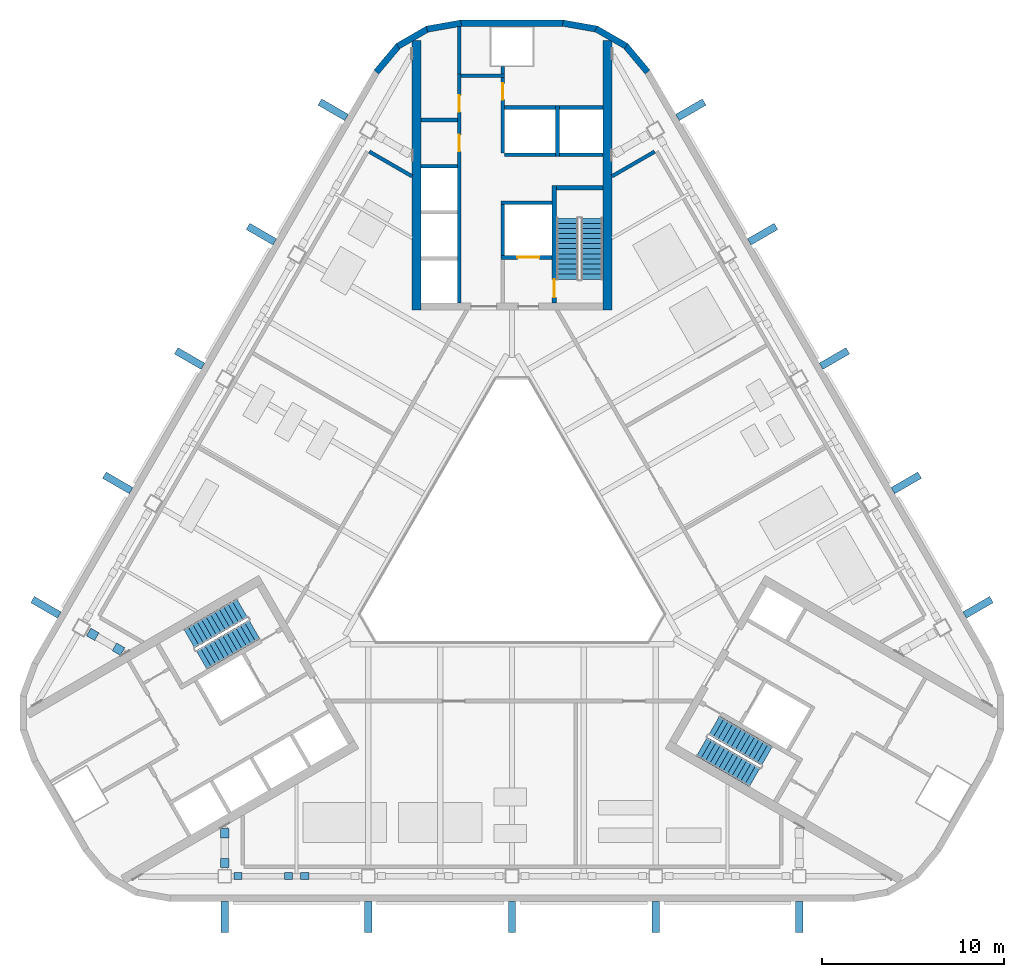
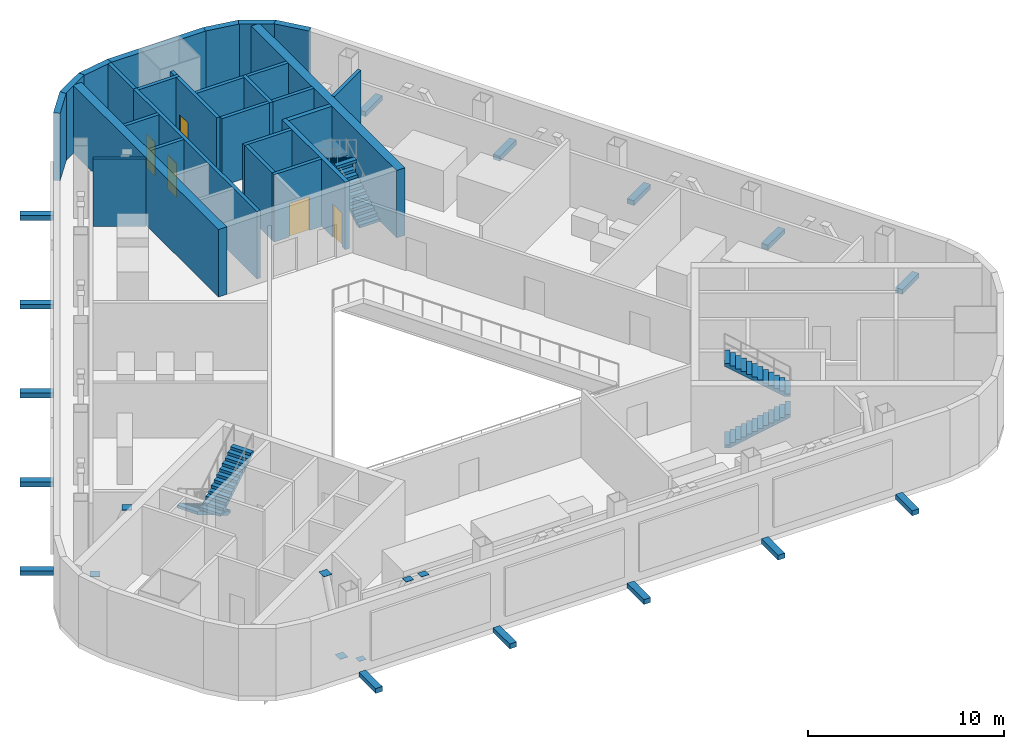
# One storey, part 9 of 15: 28 walls, 22 discrete accessories, 6 stair flights, 5 doors, 5 openings, 3 elements without a shape of their own.
"""IFC4 building model written with IfcOpenShell, lengths in metres."""

from ifc_helpers import new_model, si_unit, direction, frame, frame_2d, origin, origin_2d, place, context, subcontext, project, spatial, polyline, rectangle, outline, extrude, material, layer, layer_set, type_object, element, fill, aggregate, save


model = new_model("IFC4")

# Units and contexts
model_context = context("Model", 3, precision=1e-05, world=origin(), true_north=direction((0.0, 1.0)))
body_context = subcontext(model_context, "Body", "Model", "MODEL_VIEW")
ifc_project = project(units=[si_unit("LENGTHUNIT", "METRE"), si_unit("AREAUNIT", "SQUARE_METRE"), si_unit("VOLUMEUNIT", "CUBIC_METRE"), si_unit("PLANEANGLEUNIT", "RADIAN"), si_unit("MASSUNIT", "GRAM", prefix="KILO")], contexts=[model_context])

# Site, building, storey
site_placement = place(None, origin())
site = spatial("IfcSite", under=ifc_project, at=site_placement, CompositionType="ELEMENT")
building_placement = place(site_placement, origin())
building = spatial("IfcBuilding", under=site, at=building_placement, Name="Apuvela Tower Hotel", CompositionType="ELEMENT")
storey_placement = place(building_placement, frame((0.0, 0.0, 237.699951171875)))
storey = spatial("IfcBuildingStorey", under=building, at=storey_placement, Name="L58 Plant", CompositionType="ELEMENT", Elevation=237.699951171875)

# Walls
ifc_material_1 = material(Name="Concrete C50/60", Category="concrete")
ifc_layer_1 = layer(ifc_material_1, 0.5)
ifc_layer_set_1 = layer_set([ifc_layer_1], Name="COR-WALL-CORE-500")
wall_type_1 = type_object("IfcWallType", Name="COR-WALL-CORE-500", PredefinedType="SHEAR", material=ifc_layer_set_1)
for number, where, z_axis, x_axis, name in (
    (1, (5.25, 12.89990234375, 0.0), (0.0, 0.0, 1.0), (0.0, 1.0, 0.0), "Core wall N"),
    (2, (-5.25, 12.89990234375, 0.0), (0.0, 0.0, 1.0), (0.0, 1.0, 0.0), "Core wall N"),
):
    element("IfcWall", number, at=place(storey_placement, frame(where, z_axis=z_axis, x_axis=x_axis)), inside=storey, type_object=wall_type_1, Name=name, PredefinedType="SHEAR", context=body_context, shape_type="SweptSolid", body=[
        extrude(rectangle(XDim=14.8369140625, YDim=0.5, at=frame_2d((7.41845703125, 0.0))), origin(), (0.0, 0.0, 1.0), 4.199951171875),
    ])
ifc_material_2 = material(Name="Blockwork 200 mm plastered", Category="masonry")
ifc_layer_2 = layer(ifc_material_2, 0.199951171875)
ifc_layer_set_2 = layer_set([ifc_layer_2], Name="COR-WALL-PART-200")
wall_type_2 = type_object("IfcWallType", Name="COR-WALL-PART-200", PredefinedType="PARTITIONING", material=ifc_layer_set_2)
wall_1_placement = place(storey_placement, frame((5.0, 21.449951171875, 0.0), z_axis=(0.0, 0.0, 1.0), x_axis=(-1.0, 0.0, 0.0)))
element("IfcWall", 3, at=wall_1_placement, inside=storey, type_object=wall_type_2, Name="Partition N", PredefinedType="PARTITIONING", context=body_context, shape_type="SweptSolid", body=[
    extrude(rectangle(XDim=2.39990234375, YDim=0.199951171875, at=frame_2d((1.199951171875, 0.0))), origin(), (0.0, 0.0, 1.0), 4.199951171875),
])
wall_2_placement = place(storey_placement, frame((2.39990234375, 21.449951171875, 0.0), z_axis=(0.0, 0.0, 1.0), x_axis=(-1.0, 0.0, 0.0)))
element("IfcWall", 4, at=wall_2_placement, inside=storey, type_object=wall_type_2, Name="Partition N", PredefinedType="PARTITIONING", context=body_context, shape_type="SweptSolid", body=[
    extrude(rectangle(XDim=2.7998046875, YDim=0.199951171875, at=frame_2d((1.39990234375, 0.0))), origin(), (0.0, 0.0, 1.0), 4.199951171875),
])
ifc_layer_3 = layer(ifc_material_1, 0.199951171875)
ifc_layer_set_3 = layer_set([ifc_layer_3], Name="COR-WALL-SHAFT-200")
wall_type_3 = type_object("IfcWallType", Name="COR-WALL-SHAFT-200", PredefinedType="SHEAR", material=ifc_layer_set_3)
wall_3_placement = place(storey_placement, frame((2.199951171875, 18.800048828125, 0.0), z_axis=(0.0, 0.0, 1.0), x_axis=(-1.0, 0.0, 0.0)))
element("IfcWall", 5, at=wall_3_placement, inside=storey, type_object=wall_type_3, Name="Shaft wall N", PredefinedType="SHEAR", context=body_context, shape_type="SweptSolid", body=[
    extrude(rectangle(XDim=2.800048828125, YDim=0.199951171875, at=frame_2d((1.39990234375, 0.0))), origin(), (0.0, 0.0, 1.0), 4.199951171875),
])

# Wall, opening, door
wall_4_placement = place(storey_placement, frame((2.199951171875, 15.800048828125, 0.0), z_axis=(0.0, 0.0, 1.0), x_axis=(-1.0, 0.0, 0.0)))
wall_4 = element("IfcWall", 6, at=wall_4_placement, inside=storey, type_object=wall_type_3, Name="Shaft wall N", PredefinedType="SHEAR", context=body_context, shape_type="SweptSolid", body=[
    extrude(rectangle(XDim=2.800048828125, YDim=0.199951171875, at=frame_2d((1.39990234375, 0.0))), origin(), (0.0, 0.0, 1.0), 4.199951171875),
])
opening_1_placement = place(wall_4_placement, frame((0.699951171875, 0.0, 0.0)))
opening_1 = element("IfcOpeningElement", 7, at=opening_1_placement, cuts=wall_4, Name="Opening N-LD-FS1", PredefinedType="OPENING", context=body_context, shape_type="SweptSolid", body=[
    extrude(rectangle(XDim=1.199951171875, YDim=2.10009765625, at=frame_2d((0.60009765625, 1.050048828125))), frame((0.0, 0.10986328125, 0.0), z_axis=(0.0, -1.0, 0.0), x_axis=(1.0, 0.0, 0.0)), (0.0, 0.0, 1.0), 0.219970703125),
])
ifc_material_3 = material(Name="Stainless steel lift landing door", Category="steel")
door_type_1 = type_object("IfcDoorType", Name="COR-LD-1200", OperationType="DOUBLE_DOOR_SLIDING", PredefinedType="DOOR", material=ifc_material_3)
door_1_placement = place(opening_1_placement, origin())
door_1 = element("IfcDoor", 8, at=door_1_placement, inside=storey, type_object=door_type_1, Name="Lift landing door N-LD-FS1", OperationType="DOUBLE_DOOR_SLIDING", OverallHeight=2.10009765625, OverallWidth=1.199951171875, PredefinedType="DOOR", context=body_context, shape_type="SweptSolid", body=[
    extrude(rectangle(XDim=1.199951171875, YDim=2.10009765625, at=frame_2d((0.60009765625, 1.050048828125))), frame((0.0, 0.02490234375, 0.0), z_axis=(0.0, -1.0, 0.0), x_axis=(1.0, 0.0, 0.0)), (0.0, 0.0, 1.0), 0.050048828125),
])
fill(opening_1, door_1)

# Wall
wall_5_placement = place(storey_placement, frame((-0.5, 15.89990234375, 0.0), z_axis=(0.0, 0.0, 1.0), x_axis=(0.0, 1.0, 0.0)))
element("IfcWall", 9, at=wall_5_placement, inside=storey, type_object=wall_type_3, Name="Shaft wall N", PredefinedType="SHEAR", context=body_context, shape_type="SweptSolid", body=[
    extrude(rectangle(XDim=2.800048828125, YDim=0.199951171875, at=frame_2d((1.39990234375, 0.0))), origin(), (0.0, 0.0, 1.0), 4.199951171875),
])

# Wall, openings, doors
wall_6_placement = place(storey_placement, frame((-2.89990234375, 13.300048828125, 0.0), z_axis=(0.0, 0.0, 1.0), x_axis=(0.0, 1.0, 0.0)))
wall_6 = element("IfcWall", 10, at=wall_6_placement, inside=storey, type_object=wall_type_3, Name="Shaft wall N", PredefinedType="SHEAR", context=body_context, shape_type="SweptSolid", body=[
    extrude(rectangle(XDim=12.599853515625, YDim=0.199951171875, at=frame_2d((6.2998046875, 0.0))), origin(), (0.0, 0.0, 1.0), 4.199951171875),
])
opening_2_placement = place(wall_6_placement, frame((8.340087890625, 0.0, 0.0)))
opening_2 = element("IfcOpeningElement", 11, at=opening_2_placement, cuts=wall_6, Name="Opening N-RE4", PredefinedType="OPENING", context=body_context, shape_type="SweptSolid", body=[
    extrude(rectangle(XDim=0.89990234375, YDim=2.10009765625, at=frame_2d((0.449951171875, 1.050048828125))), frame((0.0, 0.10986328125, 0.0), z_axis=(0.0, -1.0, 0.0), x_axis=(1.0, 0.0, 0.0)), (0.0, 0.0, 1.0), 0.219970703125),
])
opening_3_placement = place(wall_6_placement, frame((10.510009765625, 0.0, 0.0)))
opening_3 = element("IfcOpeningElement", 12, at=opening_3_placement, cuts=wall_6, Name="Opening N-REP", PredefinedType="OPENING", context=body_context, shape_type="SweptSolid", body=[
    extrude(rectangle(XDim=0.89990234375, YDim=2.10009765625, at=frame_2d((0.449951171875, 1.050048828125))), frame((0.0, 0.10986328125, 0.0), z_axis=(0.0, -1.0, 0.0), x_axis=(1.0, 0.0, 0.0)), (0.0, 0.0, 1.0), 0.219970703125),
])
ifc_material_4 = material(Name="Steel fire door, powder coated", Category="steel")
door_type_2 = type_object("IfcDoorType", Name="COR-DR-900", OperationType="NOTDEFINED", PredefinedType="DOOR", material=ifc_material_4)
door_2_placement = place(opening_2_placement, origin())
door_2 = element("IfcDoor", 13, at=door_2_placement, inside=storey, type_object=door_type_2, Name="Store door N-RE4", OperationType="SINGLE_SWING_LEFT", OverallHeight=2.10009765625, OverallWidth=0.89990234375, PredefinedType="DOOR", context=body_context, shape_type="SweptSolid", body=[
    extrude(rectangle(XDim=0.89990234375, YDim=2.10009765625, at=frame_2d((0.449951171875, 1.050048828125))), frame((0.0, 0.02490234375, 0.0), z_axis=(0.0, -1.0, 0.0), x_axis=(1.0, 0.0, 0.0)), (0.0, 0.0, 1.0), 0.050048828125),
])
fill(opening_2, door_2)
door_3_placement = place(opening_3_placement, origin())
door_3 = element("IfcDoor", 14, at=door_3_placement, inside=storey, type_object=door_type_2, Name="Store door N-REP", OperationType="SINGLE_SWING_RIGHT", OverallHeight=2.10009765625, OverallWidth=0.89990234375, PredefinedType="DOOR", context=body_context, shape_type="SweptSolid", body=[
    extrude(rectangle(XDim=0.89990234375, YDim=2.10009765625, at=frame_2d((0.449951171875, 1.050048828125))), frame((0.0, 0.02490234375, 0.0), z_axis=(0.0, -1.0, 0.0), x_axis=(1.0, 0.0, 0.0)), (0.0, 0.0, 1.0), 0.050048828125),
])
fill(opening_3, door_3)

# Wall
wall_7_placement = place(storey_placement, frame((-0.39990234375, 25.800048828125, 0.0), z_axis=(0.0, 0.0, 1.0), x_axis=(-1.0, 0.0, 0.0)))
element("IfcWall", 15, at=wall_7_placement, inside=storey, type_object=wall_type_3, Name="Shaft wall N", PredefinedType="SHEAR", context=body_context, shape_type="SweptSolid", body=[
    extrude(rectangle(XDim=2.400146484375, YDim=0.199951171875, at=frame_2d((1.2001953125, 0.0))), origin(), (0.0, 0.0, 1.0), 4.199951171875),
])

# Wall, opening, door
wall_8_placement = place(storey_placement, frame((-0.5, 21.550048828125, 0.0), z_axis=(0.0, 0.0, 1.0), x_axis=(0.0, 1.0, 0.0)))
wall_8 = element("IfcWall", 16, at=wall_8_placement, inside=storey, type_object=wall_type_3, Name="Shaft wall N", PredefinedType="SHEAR", context=body_context, shape_type="SweptSolid", body=[
    extrude(rectangle(XDim=4.14990234375, YDim=0.199951171875, at=frame_2d((2.074951171875, 0.0))), origin(), (0.0, 0.0, 1.0), 4.199951171875),
])
opening_4_placement = place(wall_8_placement, frame((2.925048828125, 0.0, 0.0)))
opening_4 = element("IfcOpeningElement", 17, at=opening_4_placement, cuts=wall_8, Name="Opening N-RSP", PredefinedType="OPENING", context=body_context, shape_type="SweptSolid", body=[
    extrude(rectangle(XDim=0.89990234375, YDim=2.10009765625, at=frame_2d((0.449951171875, 1.050048828125))), frame((0.0, 0.10986328125, 0.0), z_axis=(0.0, -1.0, 0.0), x_axis=(1.0, 0.0, 0.0)), (0.0, 0.0, 1.0), 0.219970703125),
])
door_4_placement = place(opening_4_placement, frame((0.89990234375, 0.0, 0.0), z_axis=(0.0, 0.0, 1.0), x_axis=(-1.0, 0.0, 0.0)))
door_4 = element("IfcDoor", 18, at=door_4_placement, inside=storey, type_object=door_type_2, Name="Store door N-RSP", OperationType="SINGLE_SWING_LEFT", OverallHeight=2.10009765625, OverallWidth=0.89990234375, PredefinedType="DOOR", context=body_context, shape_type="SweptSolid", body=[
    extrude(rectangle(XDim=0.89990234375, YDim=2.10009765625, at=frame_2d((0.449951171875, 1.050048828125))), frame((0.0, 0.02490234375, 0.0), z_axis=(0.0, -1.0, 0.0), x_axis=(1.0, 0.0, 0.0)), (0.0, 0.0, 1.0), 0.050048828125),
])
fill(opening_4, door_4)

# Walls
for number, where, z_axis, x_axis, name in (
    (19, (-3.0, 20.820068359375, 0.0), (0.0, 0.0, 1.0), (-1.0, 0.0, 0.0), "Shaft wall N"),
    (20, (-3.0, 23.360107421875, 0.0), (0.0, 0.0, 1.0), (-1.0, 0.0, 0.0), "Shaft wall N"),
):
    element("IfcWall", number, at=place(storey_placement, frame(where, z_axis=z_axis, x_axis=x_axis)), inside=storey, type_object=wall_type_3, Name=name, PredefinedType="SHEAR", context=body_context, shape_type="SweptSolid", body=[
        extrude(rectangle(XDim=2.0, YDim=0.199951171875, at=frame_2d((1.0, 0.0))), origin(), (0.0, 0.0, 1.0), 4.199951171875),
    ])
wall_9_placement = place(storey_placement, frame((-0.5, 25.89990234375, 0.0), z_axis=(0.0, 0.0, 1.0), x_axis=(0.0, 1.0, 0.0)))
element("IfcWall", 21, at=wall_9_placement, inside=storey, type_object=wall_type_3, Name="Shaft wall N", PredefinedType="SHEAR", context=body_context, shape_type="SweptSolid", body=[
    extrude(rectangle(XDim=0.400146484375, YDim=0.199951171875, at=frame_2d((0.2001953125, 0.0))), origin(), (0.0, 0.0, 1.0), 4.199951171875),
])
wall_10_placement = place(storey_placement, frame((-2.89990234375, 25.89990234375, 0.0), z_axis=(0.0, 0.0, 1.0), x_axis=(0.0, 1.0, 0.0)))
element("IfcWall", 22, at=wall_10_placement, inside=storey, type_object=wall_type_3, Name="Shaft wall N", PredefinedType="SHEAR", context=body_context, shape_type="SweptSolid", body=[
    extrude(rectangle(XDim=2.60009765625, YDim=0.199951171875, at=frame_2d((1.300048828125, 0.0))), origin(), (0.0, 0.0, 1.0), 4.199951171875),
])
wall_11_placement = place(storey_placement, frame((2.5, 21.35009765625, 0.0), z_axis=(0.0, 0.0, 1.0), x_axis=(0.0, 1.0, 0.0)))
element("IfcWall", 23, at=wall_11_placement, inside=storey, type_object=wall_type_3, Name="Shaft wall N", PredefinedType="SHEAR", context=body_context, shape_type="SweptSolid", body=[
    extrude(rectangle(XDim=2.7998046875, YDim=0.199951171875, at=frame_2d((1.39990234375, 0.0))), origin(), (0.0, 0.0, 1.0), 4.199951171875),
])
wall_12_placement = place(storey_placement, frame((5.0, 24.050048828125, 0.0), z_axis=(0.0, 0.0, 1.0), x_axis=(-1.0, 0.0, 0.0)))
element("IfcWall", 24, at=wall_12_placement, inside=storey, type_object=wall_type_3, Name="Shaft wall N", PredefinedType="SHEAR", context=body_context, shape_type="SweptSolid", body=[
    extrude(rectangle(XDim=2.39990234375, YDim=0.199951171875, at=frame_2d((1.199951171875, 0.0))), origin(), (0.0, 0.0, 1.0), 4.199951171875),
])
wall_13_placement = place(storey_placement, frame((2.39990234375, 24.050048828125, 0.0), z_axis=(0.0, 0.0, 1.0), x_axis=(-1.0, 0.0, 0.0)))
element("IfcWall", 25, at=wall_13_placement, inside=storey, type_object=wall_type_3, Name="Shaft wall N", PredefinedType="SHEAR", context=body_context, shape_type="SweptSolid", body=[
    extrude(rectangle(XDim=2.7998046875, YDim=0.199951171875, at=frame_2d((1.39990234375, 0.0))), origin(), (0.0, 0.0, 1.0), 4.199951171875),
])

# Wall, opening, door
ifc_layer_4 = layer(ifc_material_1, 0.25)
ifc_layer_set_4 = layer_set([ifc_layer_4], Name="COR-WALL-STAIR-250")
wall_type_4 = type_object("IfcWallType", Name="COR-WALL-STAIR-250", PredefinedType="SHEAR", material=ifc_layer_set_4)
wall_14_placement = place(storey_placement, frame((2.324951171875, 13.300048828125, 0.0), z_axis=(0.0, 0.0, 1.0), x_axis=(0.0, 1.0, 0.0)))
wall_14 = element("IfcWall", 26, at=wall_14_placement, inside=storey, type_object=wall_type_4, Name="Stair wall N", PredefinedType="SHEAR", context=body_context, shape_type="SweptSolid", body=[
    extrude(rectangle(XDim=6.449951171875, YDim=0.25, at=frame_2d((3.22509765625, 0.0))), origin(), (0.0, 0.0, 1.0), 4.199951171875),
])
opening_5_placement = place(wall_14_placement, frame((0.300048828125, 0.0, 0.0)))
opening_5 = element("IfcOpeningElement", 27, at=opening_5_placement, cuts=wall_14, Name="Opening N-SD", PredefinedType="OPENING", context=body_context, shape_type="SweptSolid", body=[
    extrude(rectangle(XDim=1.0, YDim=2.10009765625, at=frame_2d((0.5, 1.050048828125))), frame((0.0, 0.135009765625, 0.0), z_axis=(0.0, -1.0, 0.0), x_axis=(1.0, 0.0, 0.0)), (0.0, 0.0, 1.0), 0.27001953125),
])
door_type_3 = type_object("IfcDoorType", Name="COR-SD-1000", OperationType="NOTDEFINED", PredefinedType="DOOR", material=ifc_material_4)
door_5_placement = place(opening_5_placement, frame((1.0, 0.0, 0.0), z_axis=(0.0, 0.0, 1.0), x_axis=(-1.0, 0.0, 0.0)))
door_5 = element("IfcDoor", 28, at=door_5_placement, inside=storey, type_object=door_type_3, Name="Stair door N-SD", OperationType="SINGLE_SWING_LEFT", OverallHeight=2.10009765625, OverallWidth=1.0, PredefinedType="DOOR", context=body_context, shape_type="SweptSolid", body=[
    extrude(rectangle(XDim=1.0, YDim=2.10009765625, at=frame_2d((0.5, 1.050048828125))), frame((0.0, 0.02490234375, 0.0), z_axis=(0.0, -1.0, 0.0), x_axis=(1.0, 0.0, 0.0)), (0.0, 0.0, 1.0), 0.050048828125),
])
fill(opening_5, door_5)

# Walls
wall_15_placement = place(storey_placement, frame((5.0, 19.625, 0.0), z_axis=(0.0, 0.0, 1.0), x_axis=(-1.0, 0.0, 0.0)))
element("IfcWall", 29, at=wall_15_placement, inside=storey, type_object=wall_type_4, Name="Stair wall N", PredefinedType="SHEAR", context=body_context, shape_type="SweptSolid", body=[
    extrude(rectangle(XDim=2.550048828125, YDim=0.25, at=frame_2d((1.27490234375, 0.0))), origin(), (0.0, 0.0, 1.0), 4.199951171875),
])
ifc_material_5 = material(Name="Concrete C40/50, dark pigmented precast panel", Category="concrete")
ifc_layer_5 = layer(ifc_material_5, 0.35009765625)
ifc_layer_set_5 = layer_set([ifc_layer_5], Name="ENV-WALL-350")
wall_type_5 = type_object("IfcWallType", Name="ENV-WALL-350", PredefinedType="SOLIDWALL", material=ifc_layer_set_5)
for number, where, z_axis, x_axis, name in (
    (30, (6.27685546875, 27.421630859375, 0.0), (0.0, 0.0, 1.0), (-0.866032345022, 0.499987977232, 0.0), "External wall L58 Plant-01"),
    (31, (4.6796875, 28.35595703125, 0.0), (0.0, 0.0, 1.0), (-0.984798995425, 0.173697837091, 0.0), "External wall L58 Plant-02"),
):
    element("IfcWall", number, at=place(storey_placement, frame(where, z_axis=z_axis, x_axis=x_axis)), inside=storey, type_object=wall_type_5, Name=name, PredefinedType="SOLIDWALL", context=body_context, shape_type="SweptSolid", body=[
        extrude(rectangle(XDim=1.91015625, YDim=0.35009765625, at=frame_2d((0.955078125, 0.0))), origin(), (0.0, 0.0, 1.0), 4.199951171875),
    ])
wall_16_placement = place(storey_placement, frame((2.8291015625, 28.68505859375, 0.0), z_axis=(0.0, 0.0, 1.0), x_axis=(-1.0, 0.0, 0.0)))
element("IfcWall", 32, at=wall_16_placement, inside=storey, type_object=wall_type_5, Name="External wall L58 Plant-03", PredefinedType="SOLIDWALL", context=body_context, shape_type="SweptSolid", body=[
    extrude(rectangle(XDim=5.658203125, YDim=0.35009765625, at=frame_2d((2.8291015625, 0.0))), origin(), (0.0, 0.0, 1.0), 4.199951171875),
])
for number, where, z_axis, x_axis, name in (
    (33, (-2.798583984375, 28.687744140625, 0.0), (0.0, 0.0, 1.0), (-0.984798995425, -0.173697837091, 0.0), "External wall L58 Plant-04"),
    (34, (-4.62255859375, 28.376708984375, 0.0), (0.0, 0.0, 1.0), (-0.866032345022, -0.499987977232, 0.0), "External wall L58 Plant-05"),
):
    element("IfcWall", number, at=place(storey_placement, frame(where, z_axis=z_axis, x_axis=x_axis)), inside=storey, type_object=wall_type_5, Name=name, PredefinedType="SOLIDWALL", context=body_context, shape_type="SweptSolid", body=[
        extrude(rectangle(XDim=1.91015625, YDim=0.35009765625, at=frame_2d((0.955078125, 0.0))), origin(), (0.0, 0.0, 1.0), 4.199951171875),
    ])
for number, where, z_axis, x_axis, name in (
    (35, (-6.230224609375, 27.460693359375, 0.0), (0.0, 0.0, 1.0), (-0.642808304945, -0.766027077259, 0.0), "External wall L58 Plant-06"),
    (36, (7.4580078125, 25.99755859375, 0.0), (0.0, 0.0, 1.0), (-0.642808304945, 0.766027077259, 0.0), "External wall L58 Plant-24"),
):
    element("IfcWall", number, at=place(storey_placement, frame(where, z_axis=z_axis, x_axis=x_axis)), inside=storey, type_object=wall_type_5, Name=name, PredefinedType="SOLIDWALL", context=body_context, shape_type="SweptSolid", body=[
        extrude(rectangle(XDim=1.909912109375, YDim=0.35009765625, at=frame_2d((0.955078125, 0.0))), origin(), (0.0, 0.0, 1.0), 4.199951171875),
    ])
ifc_material_6 = material(Name="Reinforced blockwork B15", Category="masonry")
ifc_layer_6 = layer(ifc_material_6, 0.199951171875)
ifc_layer_set_6 = layer_set([ifc_layer_6], Name="SPC-WALL-PLANT")
wall_type_6 = type_object("IfcWallType", Name="SPC-WALL-PLANT", PredefinedType="PARTITIONING", material=ifc_layer_set_6)
for number, where, z_axis, x_axis, name in (
    (37, (7.846435546875, 21.61962890625, 0.0), (0.0, 0.0, 1.0), (-0.866022026288, -0.50000584995, 0.0), "Wall L58-NE-P06"),
    (38, (-7.846435546875, 21.61962890625, 0.0), (0.0, 0.0, 1.0), (0.866022026288, -0.50000584995, 0.0), "Wall L58-NW-P03"),
):
    element("IfcWall", number, at=place(storey_placement, frame(where, z_axis=z_axis, x_axis=x_axis)), inside=storey, type_object=wall_type_6, Name=name, PredefinedType="PARTITIONING", context=body_context, shape_type="SweptSolid", body=[
        extrude(rectangle(XDim=2.70947265625, YDim=0.199951171875, at=frame_2d((1.354736328125, 0.0))), origin(), (0.0, 0.0, 1.0), 4.199951171875),
    ])

# Stair, stair flights
stair_type = type_object("IfcStairType", Name="COR-STAIR-26R", PredefinedType="HALF_TURN_STAIR", material=ifc_material_1)
stair_1_placement = place(storey_placement, origin())
stair_1 = element("IfcStair", 39, at=stair_1_placement, inside=storey, type_object=stair_type, Name="L58 Plant Exit stair ST1", PredefinedType="HALF_TURN_STAIR")
stair_flight_type = type_object("IfcStairFlightType", Name="COR-FLIGHT-13R", PredefinedType="STRAIGHT", material=ifc_material_1)
stair_flight_1_placement = place(storey_placement, frame((4.39990234375, 14.60009765625, 0.0), z_axis=(0.0, 0.0, 1.0), x_axis=(0.0, 1.0, 0.0)))
stair_flight_1 = element("IfcStairFlight", 40, at=stair_flight_1_placement, type_object=stair_flight_type, Name="ST1 flight 1", NumberOfRisers=13, NumberOfTreads=12, PredefinedType="STRAIGHT", RiserHeight=0.173076923, TreadLength=0.28, context=body_context, shape_type="SweptSolid", body=[
    extrude(outline(polyline([(0.0, 0.0), (0.0, 0.173095703125), (0.280029296875, 0.173095703125), (0.280029296875, 0.34619140625), (0.56005859375, 0.34619140625), (0.56005859375, 0.519287109375), (0.840087890625, 0.519287109375), (0.840087890625, 0.6923828125), (1.1201171875, 0.6923828125), (1.1201171875, 0.865478515625), (1.39990234375, 0.865478515625), (1.39990234375, 1.03857421875), (1.679931640625, 1.03857421875), (1.679931640625, 1.21142578125), (1.9599609375, 1.21142578125), (1.9599609375, 1.384521484375), (2.239990234375, 1.384521484375), (2.239990234375, 1.5576171875), (2.52001953125, 1.5576171875), (2.52001953125, 1.730712890625), (2.800048828125, 1.730712890625), (2.800048828125, 1.90380859375), (3.080078125, 1.90380859375), (3.080078125, 2.076904296875), (3.360107421875, 2.076904296875), (3.360107421875, 2.25), (3.360107421875, 1.900634765625), (0.28515625, 0.0), (0.0, 0.0)])), frame((0.0, 0.60009765625, 0.0), z_axis=(0.0, -1.0, 0.0), x_axis=(1.0, 0.0, 0.0)), (0.0, 0.0, 1.0), 1.199951171875),
])
stair_flight_2_placement = place(storey_placement, frame((3.050048828125, 17.9599609375, 2.25), z_axis=(0.0, 0.0, 1.0), x_axis=(0.0, -1.0, 0.0)))
stair_flight_2 = element("IfcStairFlight", 41, at=stair_flight_2_placement, type_object=stair_flight_type, Name="ST1 flight 2", NumberOfRisers=13, NumberOfTreads=12, PredefinedType="STRAIGHT", RiserHeight=0.173076923, TreadLength=0.28, context=body_context, shape_type="SweptSolid", body=[
    extrude(outline(polyline([(0.0, 0.0), (0.0, 0.173095703125), (0.280029296875, 0.173095703125), (0.280029296875, 0.34619140625), (0.56005859375, 0.34619140625), (0.56005859375, 0.519287109375), (0.840087890625, 0.519287109375), (0.840087890625, 0.6923828125), (1.1201171875, 0.6923828125), (1.1201171875, 0.865478515625), (1.39990234375, 0.865478515625), (1.39990234375, 1.03857421875), (1.679931640625, 1.03857421875), (1.679931640625, 1.21142578125), (1.9599609375, 1.21142578125), (1.9599609375, 1.384521484375), (2.239990234375, 1.384521484375), (2.239990234375, 1.5576171875), (2.52001953125, 1.5576171875), (2.52001953125, 1.730712890625), (2.800048828125, 1.730712890625), (2.800048828125, 1.90380859375), (3.080078125, 1.90380859375), (3.080078125, 2.076904296875), (3.360107421875, 2.076904296875), (3.360107421875, 2.25), (3.360107421875, 1.900634765625), (0.28515625, 0.0), (0.0, 0.0)])), frame((0.0, 0.60009765625, 0.0), z_axis=(0.0, -1.0, 0.0), x_axis=(1.0, 0.0, 0.0)), (0.0, 0.0, 1.0), 1.199951171875),
])
aggregate(stair_1, [stair_flight_1, stair_flight_2])

stair_2_placement = place(storey_placement, origin())
stair_2 = element("IfcStair", 42, at=stair_2_placement, inside=storey, type_object=stair_type, Name="L58 Plant Exit stair ST2", PredefinedType="HALF_TURN_STAIR")
stair_flight_3_placement = place(storey_placement, frame((-14.843994140625, -3.489501953125, 0.0), z_axis=(0.0, 0.0, 1.0), x_axis=(-0.866025403784, -0.5, 0.0)))
stair_flight_3 = element("IfcStairFlight", 43, at=stair_flight_3_placement, type_object=stair_flight_type, Name="ST2 flight 1", NumberOfRisers=13, NumberOfTreads=12, PredefinedType="STRAIGHT", RiserHeight=0.173076923, TreadLength=0.28, context=body_context, shape_type="SweptSolid", body=[
    extrude(outline(polyline([(0.0, 0.0), (0.0, 0.173095703125), (0.280029296875, 0.173095703125), (0.280029296875, 0.34619140625), (0.56005859375, 0.34619140625), (0.56005859375, 0.519287109375), (0.840087890625, 0.519287109375), (0.840087890625, 0.6923828125), (1.1201171875, 0.6923828125), (1.1201171875, 0.865478515625), (1.39990234375, 0.865478515625), (1.39990234375, 1.03857421875), (1.679931640625, 1.03857421875), (1.679931640625, 1.21142578125), (1.9599609375, 1.21142578125), (1.9599609375, 1.384521484375), (2.239990234375, 1.384521484375), (2.239990234375, 1.5576171875), (2.52001953125, 1.5576171875), (2.52001953125, 1.730712890625), (2.800048828125, 1.730712890625), (2.800048828125, 1.90380859375), (3.080078125, 1.90380859375), (3.080078125, 2.076904296875), (3.360107421875, 2.076904296875), (3.360107421875, 2.25), (3.360107421875, 1.900634765625), (0.28515625, 0.0), (0.0, 0.0)])), frame((0.0, 0.60009765625, 0.0), z_axis=(0.0, -1.0, 0.0), x_axis=(1.0, 0.0, 0.0)), (0.0, 0.0, 1.0), 1.199951171875),
])
stair_flight_4_placement = place(storey_placement, frame((-17.078857421875, -6.338623046875, 2.25), z_axis=(0.0, 0.0, 1.0), x_axis=(0.866025403784, 0.5, 0.0)))
stair_flight_4 = element("IfcStairFlight", 44, at=stair_flight_4_placement, type_object=stair_flight_type, Name="ST2 flight 2", NumberOfRisers=13, NumberOfTreads=12, PredefinedType="STRAIGHT", RiserHeight=0.173076923, TreadLength=0.28, context=body_context, shape_type="SweptSolid", body=[
    extrude(outline(polyline([(0.0, 0.0), (0.0, 0.173095703125), (0.280029296875, 0.173095703125), (0.280029296875, 0.34619140625), (0.56005859375, 0.34619140625), (0.56005859375, 0.519287109375), (0.840087890625, 0.519287109375), (0.840087890625, 0.6923828125), (1.1201171875, 0.6923828125), (1.1201171875, 0.865478515625), (1.39990234375, 0.865478515625), (1.39990234375, 1.03857421875), (1.679931640625, 1.03857421875), (1.679931640625, 1.21142578125), (1.9599609375, 1.21142578125), (1.9599609375, 1.384521484375), (2.239990234375, 1.384521484375), (2.239990234375, 1.5576171875), (2.52001953125, 1.5576171875), (2.52001953125, 1.730712890625), (2.800048828125, 1.730712890625), (2.800048828125, 1.90380859375), (3.080078125, 1.90380859375), (3.080078125, 2.076904296875), (3.360107421875, 2.076904296875), (3.360107421875, 2.25), (3.360107421875, 1.900634765625), (0.28515625, 0.0), (0.0, 0.0)])), frame((0.0, 0.60009765625, 0.0), z_axis=(0.0, -1.0, 0.0), x_axis=(1.0, 0.0, 0.0)), (0.0, 0.0, 1.0), 1.199951171875),
])
aggregate(stair_2, [stair_flight_3, stair_flight_4])

stair_3_placement = place(storey_placement, origin())
stair_3 = element("IfcStair", 45, at=stair_3_placement, inside=storey, type_object=stair_type, Name="L58 Plant Exit stair ST3", PredefinedType="HALF_TURN_STAIR")
stair_flight_5_placement = place(storey_placement, frame((10.444091796875, -11.110595703125, 0.0), z_axis=(0.0, 0.0, 1.0), x_axis=(0.866025403784, -0.5, 0.0)))
stair_flight_5 = element("IfcStairFlight", 46, at=stair_flight_5_placement, type_object=stair_flight_type, Name="ST3 flight 1", NumberOfRisers=13, NumberOfTreads=12, PredefinedType="STRAIGHT", RiserHeight=0.173076923, TreadLength=0.28, context=body_context, shape_type="SweptSolid", body=[
    extrude(outline(polyline([(0.0, 0.0), (0.0, 0.173095703125), (0.280029296875, 0.173095703125), (0.280029296875, 0.34619140625), (0.56005859375, 0.34619140625), (0.56005859375, 0.519287109375), (0.840087890625, 0.519287109375), (0.840087890625, 0.6923828125), (1.1201171875, 0.6923828125), (1.1201171875, 0.865478515625), (1.39990234375, 0.865478515625), (1.39990234375, 1.03857421875), (1.679931640625, 1.03857421875), (1.679931640625, 1.21142578125), (1.9599609375, 1.21142578125), (1.9599609375, 1.384521484375), (2.239990234375, 1.384521484375), (2.239990234375, 1.5576171875), (2.52001953125, 1.5576171875), (2.52001953125, 1.730712890625), (2.800048828125, 1.730712890625), (2.800048828125, 1.90380859375), (3.080078125, 1.90380859375), (3.080078125, 2.076904296875), (3.360107421875, 2.076904296875), (3.360107421875, 2.25), (3.360107421875, 1.900634765625), (0.28515625, 0.0), (0.0, 0.0)])), frame((0.0, 0.60009765625, 0.0), z_axis=(0.0, -1.0, 0.0), x_axis=(1.0, 0.0, 0.0)), (0.0, 0.0, 1.0), 1.199951171875),
])
stair_flight_6_placement = place(storey_placement, frame((14.02880859375, -11.621337890625, 2.25), z_axis=(0.0, 0.0, 1.0), x_axis=(-0.866025403784, 0.5, 0.0)))
stair_flight_6 = element("IfcStairFlight", 47, at=stair_flight_6_placement, type_object=stair_flight_type, Name="ST3 flight 2", NumberOfRisers=13, NumberOfTreads=12, PredefinedType="STRAIGHT", RiserHeight=0.173076923, TreadLength=0.28, context=body_context, shape_type="SweptSolid", body=[
    extrude(outline(polyline([(0.0, 0.0), (0.0, 0.173095703125), (0.280029296875, 0.173095703125), (0.280029296875, 0.34619140625), (0.56005859375, 0.34619140625), (0.56005859375, 0.519287109375), (0.840087890625, 0.519287109375), (0.840087890625, 0.6923828125), (1.1201171875, 0.6923828125), (1.1201171875, 0.865478515625), (1.39990234375, 0.865478515625), (1.39990234375, 1.03857421875), (1.679931640625, 1.03857421875), (1.679931640625, 1.21142578125), (1.9599609375, 1.21142578125), (1.9599609375, 1.384521484375), (2.239990234375, 1.384521484375), (2.239990234375, 1.5576171875), (2.52001953125, 1.5576171875), (2.52001953125, 1.730712890625), (2.800048828125, 1.730712890625), (2.800048828125, 1.90380859375), (3.080078125, 1.90380859375), (3.080078125, 2.076904296875), (3.360107421875, 2.076904296875), (3.360107421875, 2.25), (3.360107421875, 1.900634765625), (0.28515625, 0.0), (0.0, 0.0)])), frame((0.0, 0.60009765625, 0.0), z_axis=(0.0, -1.0, 0.0), x_axis=(1.0, 0.0, 0.0)), (0.0, 0.0, 1.0), 1.199951171875),
])
aggregate(stair_3, [stair_flight_5, stair_flight_6])

# Discrete accessories
ifc_material_7 = material(Name="Steel S355, black paint system", Category="steel")
discrete_accessory_type_1 = type_object("IfcDiscreteAccessoryType", Name="ENV-FIN-BRACKET-LONG", PredefinedType="BRACKET", material=ifc_material_7)
for number, where, z_axis, x_axis, name in (
    (48, (25.63623046875, -3.443115234375, -0.25), (0.0, 0.0, 1.0), (-0.5, 0.866025403784, 0.0), "Fin bracket NE105"),
    (49, (21.686279296875, 3.3984375, -0.25), (0.0, 0.0, 1.0), (-0.5, 0.866025403784, 0.0), "Fin bracket NE106"),
    (50, (17.736083984375, 10.239990234375, -0.25), (0.0, 0.0, 1.0), (-0.5, 0.866025403784, 0.0), "Fin bracket NE107"),
    (51, (13.7861328125, 17.08154296875, -0.25), (0.0, 0.0, 1.0), (-0.5, 0.866025403784, 0.0), "Fin bracket NE108"),
    (52, (9.836181640625, 23.923095703125, -0.25), (0.0, 0.0, 1.0), (-0.5, 0.866025403784, 0.0), "Fin bracket NE109"),
    (53, (-9.836181640625, 23.923095703125, -0.25), (0.0, 0.0, 1.0), (-0.5, -0.866025403784, 0.0), "Fin bracket NW254"),
    (54, (-13.7861328125, 17.08154296875, -0.25), (0.0, 0.0, 1.0), (-0.5, -0.866025403784, 0.0), "Fin bracket NW255"),
    (55, (-17.736083984375, 10.239990234375, -0.25), (0.0, 0.0, 1.0), (-0.5, -0.866025403784, 0.0), "Fin bracket NW256"),
    (56, (-21.686279296875, 3.3984375, -0.25), (0.0, 0.0, 1.0), (-0.5, -0.866025403784, 0.0), "Fin bracket NW257"),
    (57, (-25.63623046875, -3.443115234375, -0.25), (0.0, 0.0, 1.0), (-0.5, -0.866025403784, 0.0), "Fin bracket NW258"),
    (58, (-15.800048828125, -20.47998046875, -0.25), (0.0, 0.0, 1.0), (1.0, 0.0, 0.0), "Fin bracket S404"),
    (59, (-7.89990234375, -20.47998046875, -0.25), (0.0, 0.0, 1.0), (1.0, 0.0, 0.0), "Fin bracket S405"),
    (60, (0.0, -20.47998046875, -0.25), (0.0, 0.0, 1.0), (1.0, 0.0, 0.0), "Fin bracket S406"),
    (61, (7.89990234375, -20.47998046875, -0.25), (0.0, 0.0, 1.0), (1.0, 0.0, 0.0), "Fin bracket S407"),
    (62, (15.800048828125, -20.47998046875, -0.25), (0.0, 0.0, 1.0), (1.0, 0.0, 0.0), "Fin bracket S408"),
):
    element("IfcDiscreteAccessory", number, at=place(storey_placement, frame(where, z_axis=z_axis, x_axis=x_axis)), inside=storey, type_object=discrete_accessory_type_1, Name=name, PredefinedType="BRACKET", context=body_context, shape_type="SweptSolid", body=[
        extrude(rectangle(XDim=0.39990234375, YDim=1.699951171875, at=origin_2d()), origin(), (0.0, 0.0, 1.0), 0.300048828125),
    ])
ifc_material_8 = material(Name="Steel S355", Category="steel")
ifc_layer_7 = layer(ifc_material_8, 0.02001953125)
ifc_layer_set_7 = layer_set([ifc_layer_7], Name="STR-EP end plate 20")
discrete_accessory_type_2 = type_object("IfcDiscreteAccessoryType", Name="STR-EP end plate 20", PredefinedType="BRACKET", material=ifc_layer_set_7)
for number, where, z_axis, x_axis, name in (
    (63, (-15.074951171875, -18.22998046875, -0.300048828125), (0.0, 0.0, 1.0), (1.0, 0.0, 0.0), "End plate EP BR3 S1"),
    (64, (-12.300048828125, -18.22998046875, 3.68994140625), (0.0, 0.0, 1.0), (1.0, 0.0, 0.0), "End plate EP BR3 S1"),
    (65, (-11.39990234375, -18.22998046875, 3.68994140625), (0.0, 0.0, 1.0), (-1.0, 0.0, 0.0), "End plate EP BR3 S1"),
):
    element("IfcDiscreteAccessory", number, at=place(storey_placement, frame(where, z_axis=z_axis, x_axis=x_axis)), inside=storey, type_object=discrete_accessory_type_2, Name=name, PredefinedType="BRACKET", context=body_context, shape_type="SweptSolid", body=[
        extrude(rectangle(XDim=0.44482421875, YDim=0.3798828125, at=origin_2d()), origin(), (0.0, 0.0, 1.0), 0.02001953125),
    ])
for number, where, z_axis, x_axis, name in (
    (66, (-23.059814453125, -4.9306640625, -0.300048828125), (0.0, 0.0, 1.0), (0.866025403784, -0.5, 0.0), "End plate EP OD3 NW5"),
    (67, (-21.64306640625, -5.74853515625, 3.85009765625), (0.0, 0.0, 1.0), (0.866025403784, -0.5, 0.0), "End plate EP OD3 NW5"),
    (68, (-15.800048828125, -17.5048828125, -0.300048828125), (0.0, 0.0, 1.0), (0.0, 1.0, 0.0), "End plate EP OD3 S1"),
    (69, (-15.800048828125, -15.869140625, 3.85009765625), (0.0, 0.0, 1.0), (0.0, 1.0, 0.0), "End plate EP OD3 S1"),
):
    element("IfcDiscreteAccessory", number, at=place(storey_placement, frame(where, z_axis=z_axis, x_axis=x_axis)), inside=storey, type_object=discrete_accessory_type_2, Name=name, PredefinedType="BRACKET", context=body_context, shape_type="SweptSolid", body=[
        extrude(rectangle(XDim=0.5166015625, YDim=0.486328125, at=origin_2d()), origin(), (0.0, 0.0, 1.0), 0.02001953125),
    ])

save(model, "model.ifc")
